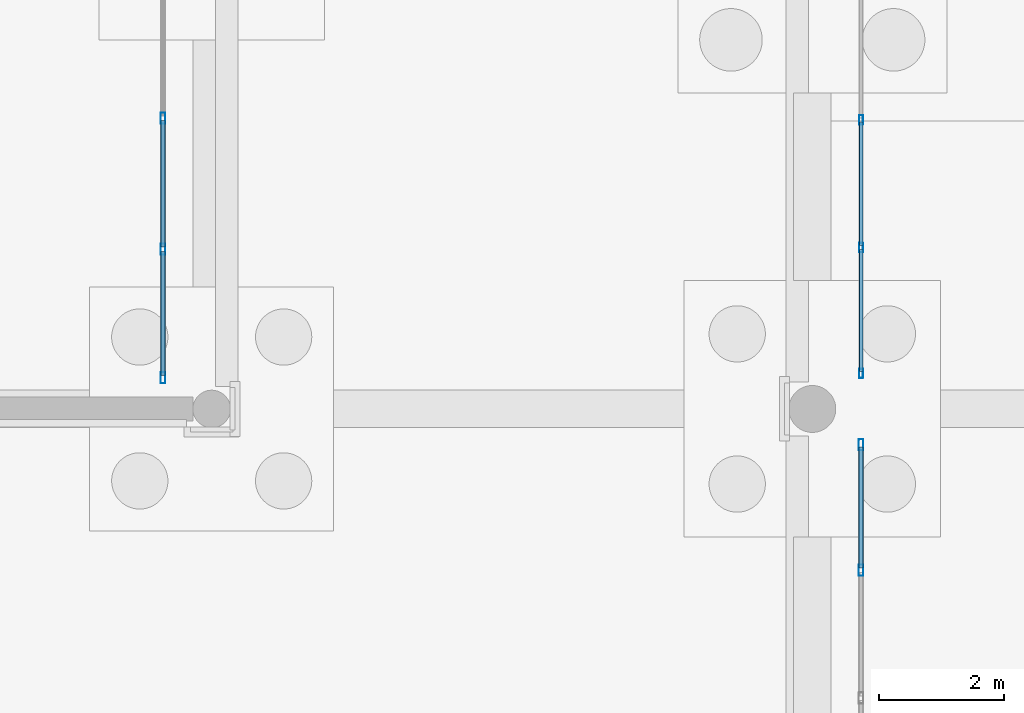
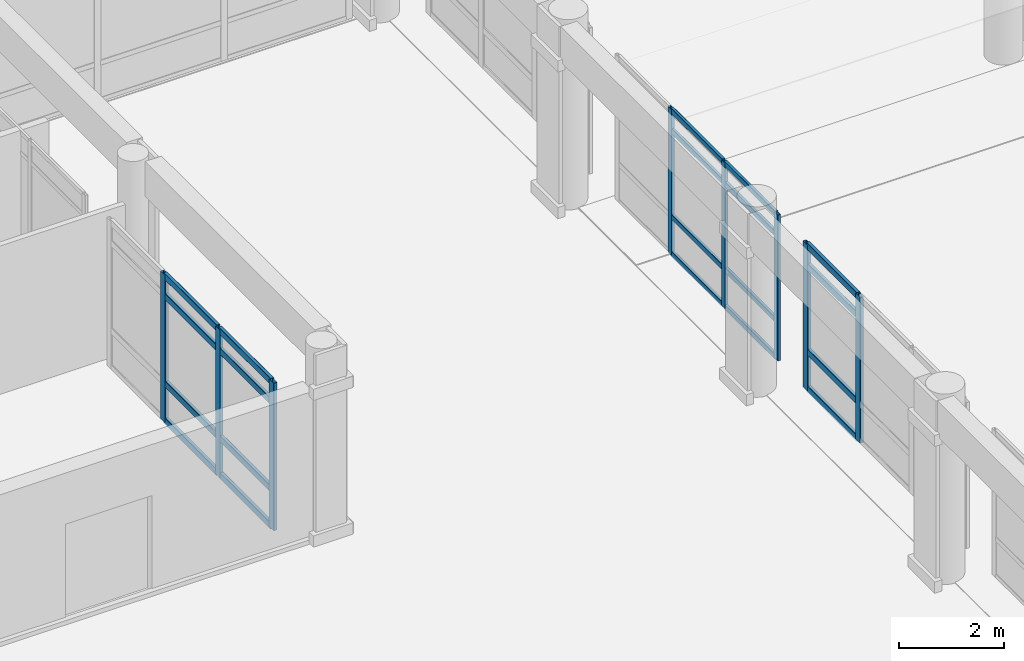
# One storey, part 78 of 196: 28 members, 3 elements without a shape of their own.
"""IFC4 building model written with IfcOpenShell, lengths in metres."""

from ifc_helpers import new_model, si_unit, direction, frame, origin, origin_2d, place, context, subcontext, project, spatial, hollow_rectangle, extrude, material, layer, layer_set, material_profile, profile_set, type_object, element, aggregate, save


model = new_model("IFC4")

# Units and contexts
model_context = context("Model", 3, precision=1e-05, world=origin(), true_north=direction((0.0, 1.0)))
body_context = subcontext(model_context, "Body", "Model", "MODEL_VIEW")
ifc_project = project(units=[si_unit("LENGTHUNIT", "METRE"), si_unit("AREAUNIT", "SQUARE_METRE"), si_unit("VOLUMEUNIT", "CUBIC_METRE"), si_unit("PLANEANGLEUNIT", "RADIAN"), si_unit("MASSUNIT", "GRAM", prefix="KILO")], contexts=[model_context])

# Site, building, storey
site_placement = place(None, origin())
site = spatial("IfcSite", under=ifc_project, at=site_placement, CompositionType="ELEMENT")
building_placement = place(site_placement, origin())
building = spatial("IfcBuilding", under=site, at=building_placement, Name="Asteropetra Specialist Clinic", CompositionType="ELEMENT")
storey_placement = place(building_placement, origin())
storey = spatial("IfcBuildingStorey", under=building, at=storey_placement, Name="L00", CompositionType="ELEMENT", Elevation=0.0)

# Curtain wall, members
ifc_material_1 = material(Name="Aluminium and low-E glass", Category="aluminium")
ifc_layer_1 = layer(ifc_material_1, 0.14990234375)
ifc_layer_set_1 = layer_set([ifc_layer_1], Name="Aluminium and low-E glass")
curtain_wall_type_1 = type_object("IfcCurtainWallType", Name="CW-SYS-11", PredefinedType="USERDEFINED", material=ifc_layer_set_1)
curtain_wall_1_placement = place(storey_placement, origin())
curtain_wall_1 = element("IfcCurtainWall", 1, at=curtain_wall_1_placement, inside=storey, type_object=curtain_wall_type_1, Name="Curtain Wall CW-202", ObjectType="STICK GLAZED COLONNADE", PredefinedType="USERDEFINED")
ifc_material_2 = material(Name="Aluminium 6063-T6", Category="aluminium")
ifc_material_profile_1 = material_profile(ifc_material_2, hollow_rectangle(XDim=0.06494140625, YDim=0.14990234375, WallThickness=0.00390625, InnerFilletRadius=0.00390625, OuterFilletRadius=0.008056640625, at=origin_2d()), Name="MUL 150x65x4.0")
ifc_profile_set_1 = profile_set([ifc_material_profile_1], Name="Aluminium 6063-T6")
member_type_1 = type_object("IfcMemberType", Name="CWM-150x65", PredefinedType="MULLION", material=ifc_profile_set_1)
member_1_placement = place(storey_placement, frame((106.3798828125, 38.2216796875, 0.0), z_axis=(0.0, 0.0, 1.0), x_axis=(1.0, 0.0, 0.0)))
member_1 = element("IfcMember", 2, at=member_1_placement, type_object=member_type_1, Name="CW-202 mullion 2", PredefinedType="MULLION", context=body_context, shape_type="SweptSolid", body=[
    extrude(hollow_rectangle(XDim=0.06494140625, YDim=0.14990234375, WallThickness=0.00390625, InnerFilletRadius=0.00390625, OuterFilletRadius=0.008056640625, at=origin_2d()), origin(), (0.0, 0.0, 1.0), 3.39990234375),
])
member_2_placement = place(storey_placement, frame((106.3798828125, 36.17822265625, 0.0), z_axis=(0.0, 0.0, 1.0), x_axis=(1.0, 0.0, 0.0)))
member_2 = element("IfcMember", 3, at=member_2_placement, type_object=member_type_1, Name="CW-202 mullion 3", PredefinedType="MULLION", context=body_context, shape_type="SweptSolid", body=[
    extrude(hollow_rectangle(XDim=0.06494140625, YDim=0.14990234375, WallThickness=0.00390625, InnerFilletRadius=0.00390625, OuterFilletRadius=0.008056640625, at=origin_2d()), origin(), (0.0, 0.0, 1.0), 3.39990234375),
])
member_3_placement = place(storey_placement, frame((106.3798828125, 34.16748046875, 0.0), z_axis=(0.0, 0.0, 1.0), x_axis=(1.0, 0.0, 0.0)))
member_3 = element("IfcMember", 4, at=member_3_placement, type_object=member_type_1, Name="CW-202 mullion 4", PredefinedType="MULLION", context=body_context, shape_type="SweptSolid", body=[
    extrude(hollow_rectangle(XDim=0.06494140625, YDim=0.14990234375, WallThickness=0.00390625, InnerFilletRadius=0.00390625, OuterFilletRadius=0.008056640625, at=origin_2d()), origin(), (0.0, 0.0, 1.0), 3.39990234375),
])

curtain_wall_2_placement = place(storey_placement, origin())
curtain_wall_2 = element("IfcCurtainWall", 5, at=curtain_wall_2_placement, inside=storey, type_object=curtain_wall_type_1, Name="Curtain Wall CW-168", ObjectType="STICK GLAZED COLONNADE", PredefinedType="USERDEFINED")
ifc_material_3 = material(Name="Aluminium 6063-T6", Category="aluminium")
ifc_material_profile_2 = material_profile(ifc_material_3, hollow_rectangle(XDim=0.074951171875, YDim=0.179931640625, WallThickness=0.00390625, InnerFilletRadius=0.00390625, OuterFilletRadius=0.008056640625, at=origin_2d()), Name="MUL 180x75x4.0")
ifc_profile_set_2 = profile_set([ifc_material_profile_2], Name="Aluminium 6063-T6")
member_type_2 = type_object("IfcMemberType", Name="CWM-180x75", PredefinedType="MULLION", material=ifc_profile_set_2)
member_4_placement = place(storey_placement, frame((95.219970703125, 34.097412109375, 0.0), z_axis=(0.0, 0.0, 1.0), x_axis=(-1.0, 0.0, 0.0)))
member_4 = element("IfcMember", 6, at=member_4_placement, type_object=member_type_2, Name="CW-168 mullion 1", PredefinedType="MULLION", context=body_context, shape_type="SweptSolid", body=[
    extrude(hollow_rectangle(XDim=0.074951171875, YDim=0.179931640625, WallThickness=0.00390625, InnerFilletRadius=0.00390625, OuterFilletRadius=0.008056640625, at=origin_2d()), origin(), (0.0, 0.0, 1.0), 3.43994140625),
])
member_5_placement = place(storey_placement, frame((95.219970703125, 36.1533203125, 0.0), z_axis=(0.0, 0.0, 1.0), x_axis=(-1.0, 0.0, 0.0)))
member_5 = element("IfcMember", 7, at=member_5_placement, type_object=member_type_2, Name="CW-168 mullion 2", PredefinedType="MULLION", context=body_context, shape_type="SweptSolid", body=[
    extrude(hollow_rectangle(XDim=0.074951171875, YDim=0.179931640625, WallThickness=0.00390625, InnerFilletRadius=0.00390625, OuterFilletRadius=0.008056640625, at=origin_2d()), origin(), (0.0, 0.0, 1.0), 3.43994140625),
])
member_6_placement = place(storey_placement, frame((95.219970703125, 38.24658203125, 0.0), z_axis=(0.0, 0.0, 1.0), x_axis=(-1.0, 0.0, 0.0)))
member_6 = element("IfcMember", 8, at=member_6_placement, type_object=member_type_2, Name="CW-168 mullion 3", PredefinedType="MULLION", context=body_context, shape_type="SweptSolid", body=[
    extrude(hollow_rectangle(XDim=0.074951171875, YDim=0.179931640625, WallThickness=0.00390625, InnerFilletRadius=0.00390625, OuterFilletRadius=0.008056640625, at=origin_2d()), origin(), (0.0, 0.0, 1.0), 3.43994140625),
])

ifc_material_4 = material(Name="Aluminium and low-E glass", Category="aluminium")
ifc_layer_2 = layer(ifc_material_4, 0.135009765625)
ifc_layer_set_2 = layer_set([ifc_layer_2], Name="Aluminium and low-E glass")
curtain_wall_type_2 = type_object("IfcCurtainWallType", Name="CW-SYS-12", PredefinedType="USERDEFINED", material=ifc_layer_set_2)
curtain_wall_3_placement = place(storey_placement, origin())
curtain_wall_3 = element("IfcCurtainWall", 9, at=curtain_wall_3_placement, inside=storey, type_object=curtain_wall_type_2, Name="Curtain Wall CW-201", ObjectType="STICK GLAZED COLONNADE", PredefinedType="USERDEFINED")
member_7_placement = place(storey_placement, frame((106.3798828125, 33.027587890625, 0.0), z_axis=(0.0, 0.0, 1.0), x_axis=(1.0, 0.0, 0.0)))
member_7 = element("IfcMember", 10, at=member_7_placement, type_object=member_type_2, Name="CW-201 mullion 1", PredefinedType="MULLION", context=body_context, shape_type="SweptSolid", body=[
    extrude(hollow_rectangle(XDim=0.074951171875, YDim=0.179931640625, WallThickness=0.00390625, InnerFilletRadius=0.00390625, OuterFilletRadius=0.008056640625, at=origin_2d()), origin(), (0.0, 0.0, 1.0), 3.39990234375),
])
member_8_placement = place(storey_placement, frame((106.3798828125, 31.021728515625, 0.0), z_axis=(0.0, 0.0, 1.0), x_axis=(1.0, 0.0, 0.0)))
member_8 = element("IfcMember", 11, at=member_8_placement, type_object=member_type_2, Name="CW-201 mullion 2", PredefinedType="MULLION", context=body_context, shape_type="SweptSolid", body=[
    extrude(hollow_rectangle(XDim=0.074951171875, YDim=0.179931640625, WallThickness=0.00390625, InnerFilletRadius=0.00390625, OuterFilletRadius=0.008056640625, at=origin_2d()), origin(), (0.0, 0.0, 1.0), 3.39990234375),
])

# Member
ifc_material_5 = material(Name="Aluminium 6063-T6", Category="aluminium")
ifc_material_profile_3 = material_profile(ifc_material_5, hollow_rectangle(XDim=0.06494140625, YDim=0.1201171875, WallThickness=0.00390625, InnerFilletRadius=0.00390625, OuterFilletRadius=0.008056640625, at=origin_2d()), Name="TRN 120x65x4.0")
ifc_profile_set_3 = profile_set([ifc_material_profile_3], Name="Aluminium 6063-T6")
member_type_3 = type_object("IfcMemberType", Name="CWT-120x65", PredefinedType="USERDEFINED", material=ifc_profile_set_3)
member_9_placement = place(storey_placement, frame((106.3798828125, 38.189208984375, 0.032470703125), z_axis=(0.0, -1.0, 0.0), x_axis=(1.0, 0.0, 0.0)))
member_9 = element("IfcMember", 12, at=member_9_placement, type_object=member_type_3, Name="CW-202 transom 2.1", ObjectType="TRANSOM", PredefinedType="USERDEFINED", context=body_context, shape_type="SweptSolid", body=[
    extrude(hollow_rectangle(XDim=0.06494140625, YDim=0.1201171875, WallThickness=0.00390625, InnerFilletRadius=0.00390625, OuterFilletRadius=0.008056640625, at=origin_2d()), origin(), (0.0, 0.0, 1.0), 1.978271484375),
])

member_10_placement = place(storey_placement, frame((106.3798828125, 38.189208984375, 0.89990234375), z_axis=(0.0, -1.0, 0.0), x_axis=(1.0, 0.0, 0.0)))
member_10 = element("IfcMember", 13, at=member_10_placement, type_object=member_type_3, Name="CW-202 transom 2.2", ObjectType="TRANSOM", PredefinedType="USERDEFINED", context=body_context, shape_type="SweptSolid", body=[
    extrude(hollow_rectangle(XDim=0.06494140625, YDim=0.1201171875, WallThickness=0.00390625, InnerFilletRadius=0.00390625, OuterFilletRadius=0.008056640625, at=origin_2d()), origin(), (0.0, 0.0, 1.0), 1.978271484375),
])

member_11_placement = place(storey_placement, frame((106.3798828125, 38.189208984375, 2.89990234375), z_axis=(0.0, -1.0, 0.0), x_axis=(1.0, 0.0, 0.0)))
member_11 = element("IfcMember", 14, at=member_11_placement, type_object=member_type_3, Name="CW-202 transom 2.3", ObjectType="TRANSOM", PredefinedType="USERDEFINED", context=body_context, shape_type="SweptSolid", body=[
    extrude(hollow_rectangle(XDim=0.06494140625, YDim=0.1201171875, WallThickness=0.00390625, InnerFilletRadius=0.00390625, OuterFilletRadius=0.008056640625, at=origin_2d()), origin(), (0.0, 0.0, 1.0), 1.978271484375),
])

member_12_placement = place(storey_placement, frame((106.3798828125, 38.189208984375, 3.367431640625), z_axis=(0.0, -1.0, 0.0), x_axis=(1.0, 0.0, 0.0)))
member_12 = element("IfcMember", 15, at=member_12_placement, type_object=member_type_3, Name="CW-202 transom 2.4", ObjectType="TRANSOM", PredefinedType="USERDEFINED", context=body_context, shape_type="SweptSolid", body=[
    extrude(hollow_rectangle(XDim=0.06494140625, YDim=0.1201171875, WallThickness=0.00390625, InnerFilletRadius=0.00390625, OuterFilletRadius=0.008056640625, at=origin_2d()), origin(), (0.0, 0.0, 1.0), 1.978271484375),
])

member_13_placement = place(storey_placement, frame((106.3798828125, 36.145751953125, 0.032470703125), z_axis=(0.0, -1.0, 0.0), x_axis=(1.0, 0.0, 0.0)))
member_13 = element("IfcMember", 16, at=member_13_placement, type_object=member_type_3, Name="CW-202 transom 3.1", ObjectType="TRANSOM", PredefinedType="USERDEFINED", context=body_context, shape_type="SweptSolid", body=[
    extrude(hollow_rectangle(XDim=0.06494140625, YDim=0.1201171875, WallThickness=0.00390625, InnerFilletRadius=0.00390625, OuterFilletRadius=0.008056640625, at=origin_2d()), origin(), (0.0, 0.0, 1.0), 1.94580078125),
])

member_14_placement = place(storey_placement, frame((106.3798828125, 36.145751953125, 0.89990234375), z_axis=(0.0, -1.0, 0.0), x_axis=(1.0, 0.0, 0.0)))
member_14 = element("IfcMember", 17, at=member_14_placement, type_object=member_type_3, Name="CW-202 transom 3.2", ObjectType="TRANSOM", PredefinedType="USERDEFINED", context=body_context, shape_type="SweptSolid", body=[
    extrude(hollow_rectangle(XDim=0.06494140625, YDim=0.1201171875, WallThickness=0.00390625, InnerFilletRadius=0.00390625, OuterFilletRadius=0.008056640625, at=origin_2d()), origin(), (0.0, 0.0, 1.0), 1.94580078125),
])

member_15_placement = place(storey_placement, frame((106.3798828125, 36.145751953125, 2.89990234375), z_axis=(0.0, -1.0, 0.0), x_axis=(1.0, 0.0, 0.0)))
member_15 = element("IfcMember", 18, at=member_15_placement, type_object=member_type_3, Name="CW-202 transom 3.3", ObjectType="TRANSOM", PredefinedType="USERDEFINED", context=body_context, shape_type="SweptSolid", body=[
    extrude(hollow_rectangle(XDim=0.06494140625, YDim=0.1201171875, WallThickness=0.00390625, InnerFilletRadius=0.00390625, OuterFilletRadius=0.008056640625, at=origin_2d()), origin(), (0.0, 0.0, 1.0), 1.94580078125),
])

member_16_placement = place(storey_placement, frame((106.3798828125, 36.145751953125, 3.367431640625), z_axis=(0.0, -1.0, 0.0), x_axis=(1.0, 0.0, 0.0)))
member_16 = element("IfcMember", 19, at=member_16_placement, type_object=member_type_3, Name="CW-202 transom 3.4", ObjectType="TRANSOM", PredefinedType="USERDEFINED", context=body_context, shape_type="SweptSolid", body=[
    extrude(hollow_rectangle(XDim=0.06494140625, YDim=0.1201171875, WallThickness=0.00390625, InnerFilletRadius=0.00390625, OuterFilletRadius=0.008056640625, at=origin_2d()), origin(), (0.0, 0.0, 1.0), 1.94580078125),
])

aggregate(curtain_wall_1, [member_1, member_2, member_3, member_9, member_10, member_11, member_12, member_13, member_14, member_15, member_16])

ifc_material_6 = material(Name="Aluminium 6063-T6", Category="aluminium")
ifc_material_profile_4 = material_profile(ifc_material_6, hollow_rectangle(XDim=0.074951171875, YDim=0.14990234375, WallThickness=0.00390625, InnerFilletRadius=0.00390625, OuterFilletRadius=0.008056640625, at=origin_2d()), Name="TRN 150x75x4.0")
ifc_profile_set_4 = profile_set([ifc_material_profile_4], Name="Aluminium 6063-T6")
member_type_4 = type_object("IfcMemberType", Name="CWT-150x75", PredefinedType="USERDEFINED", material=ifc_profile_set_4)
member_17_placement = place(storey_placement, frame((95.219970703125, 34.135009765625, 0.03759765625), z_axis=(0.0, 1.0, 0.0), x_axis=(-1.0, 0.0, 0.0)))
member_17 = element("IfcMember", 20, at=member_17_placement, type_object=member_type_4, Name="CW-168 transom 1.1", ObjectType="TRANSOM", PredefinedType="USERDEFINED", context=body_context, shape_type="SweptSolid", body=[
    extrude(hollow_rectangle(XDim=0.074951171875, YDim=0.14990234375, WallThickness=0.00390625, InnerFilletRadius=0.00390625, OuterFilletRadius=0.008056640625, at=origin_2d()), origin(), (0.0, 0.0, 1.0), 1.980712890625),
])

member_18_placement = place(storey_placement, frame((95.219970703125, 34.135009765625, 0.89990234375), z_axis=(0.0, 1.0, 0.0), x_axis=(-1.0, 0.0, 0.0)))
member_18 = element("IfcMember", 21, at=member_18_placement, type_object=member_type_4, Name="CW-168 transom 1.2", ObjectType="TRANSOM", PredefinedType="USERDEFINED", context=body_context, shape_type="SweptSolid", body=[
    extrude(hollow_rectangle(XDim=0.074951171875, YDim=0.14990234375, WallThickness=0.00390625, InnerFilletRadius=0.00390625, OuterFilletRadius=0.008056640625, at=origin_2d()), origin(), (0.0, 0.0, 1.0), 1.980712890625),
])

member_19_placement = place(storey_placement, frame((95.219970703125, 34.135009765625, 2.93994140625), z_axis=(0.0, 1.0, 0.0), x_axis=(-1.0, 0.0, 0.0)))
member_19 = element("IfcMember", 22, at=member_19_placement, type_object=member_type_4, Name="CW-168 transom 1.3", ObjectType="TRANSOM", PredefinedType="USERDEFINED", context=body_context, shape_type="SweptSolid", body=[
    extrude(hollow_rectangle(XDim=0.074951171875, YDim=0.14990234375, WallThickness=0.00390625, InnerFilletRadius=0.00390625, OuterFilletRadius=0.008056640625, at=origin_2d()), origin(), (0.0, 0.0, 1.0), 1.980712890625),
])

member_20_placement = place(storey_placement, frame((95.219970703125, 34.135009765625, 3.402587890625), z_axis=(0.0, 1.0, 0.0), x_axis=(-1.0, 0.0, 0.0)))
member_20 = element("IfcMember", 23, at=member_20_placement, type_object=member_type_4, Name="CW-168 transom 1.4", ObjectType="TRANSOM", PredefinedType="USERDEFINED", context=body_context, shape_type="SweptSolid", body=[
    extrude(hollow_rectangle(XDim=0.074951171875, YDim=0.14990234375, WallThickness=0.00390625, InnerFilletRadius=0.00390625, OuterFilletRadius=0.008056640625, at=origin_2d()), origin(), (0.0, 0.0, 1.0), 1.980712890625),
])

member_21_placement = place(storey_placement, frame((95.219970703125, 36.19091796875, 0.03759765625), z_axis=(0.0, 1.0, 0.0), x_axis=(-1.0, 0.0, 0.0)))
member_21 = element("IfcMember", 24, at=member_21_placement, type_object=member_type_4, Name="CW-168 transom 2.1", ObjectType="TRANSOM", PredefinedType="USERDEFINED", context=body_context, shape_type="SweptSolid", body=[
    extrude(hollow_rectangle(XDim=0.074951171875, YDim=0.14990234375, WallThickness=0.00390625, InnerFilletRadius=0.00390625, OuterFilletRadius=0.008056640625, at=origin_2d()), origin(), (0.0, 0.0, 1.0), 2.018310546875),
])

member_22_placement = place(storey_placement, frame((95.219970703125, 36.19091796875, 0.89990234375), z_axis=(0.0, 1.0, 0.0), x_axis=(-1.0, 0.0, 0.0)))
member_22 = element("IfcMember", 25, at=member_22_placement, type_object=member_type_4, Name="CW-168 transom 2.2", ObjectType="TRANSOM", PredefinedType="USERDEFINED", context=body_context, shape_type="SweptSolid", body=[
    extrude(hollow_rectangle(XDim=0.074951171875, YDim=0.14990234375, WallThickness=0.00390625, InnerFilletRadius=0.00390625, OuterFilletRadius=0.008056640625, at=origin_2d()), origin(), (0.0, 0.0, 1.0), 2.018310546875),
])

member_23_placement = place(storey_placement, frame((95.219970703125, 36.19091796875, 2.93994140625), z_axis=(0.0, 1.0, 0.0), x_axis=(-1.0, 0.0, 0.0)))
member_23 = element("IfcMember", 26, at=member_23_placement, type_object=member_type_4, Name="CW-168 transom 2.3", ObjectType="TRANSOM", PredefinedType="USERDEFINED", context=body_context, shape_type="SweptSolid", body=[
    extrude(hollow_rectangle(XDim=0.074951171875, YDim=0.14990234375, WallThickness=0.00390625, InnerFilletRadius=0.00390625, OuterFilletRadius=0.008056640625, at=origin_2d()), origin(), (0.0, 0.0, 1.0), 2.018310546875),
])

member_24_placement = place(storey_placement, frame((95.219970703125, 36.19091796875, 3.402587890625), z_axis=(0.0, 1.0, 0.0), x_axis=(-1.0, 0.0, 0.0)))
member_24 = element("IfcMember", 27, at=member_24_placement, type_object=member_type_4, Name="CW-168 transom 2.4", ObjectType="TRANSOM", PredefinedType="USERDEFINED", context=body_context, shape_type="SweptSolid", body=[
    extrude(hollow_rectangle(XDim=0.074951171875, YDim=0.14990234375, WallThickness=0.00390625, InnerFilletRadius=0.00390625, OuterFilletRadius=0.008056640625, at=origin_2d()), origin(), (0.0, 0.0, 1.0), 2.018310546875),
])

aggregate(curtain_wall_2, [member_4, member_5, member_6, member_17, member_18, member_19, member_20, member_21, member_22, member_23, member_24])

member_25_placement = place(storey_placement, frame((106.3798828125, 32.989990234375, 0.03759765625), z_axis=(0.0, -1.0, 0.0), x_axis=(1.0, 0.0, 0.0)))
member_25 = element("IfcMember", 28, at=member_25_placement, type_object=member_type_4, Name="CW-201 transom 1.1", ObjectType="TRANSOM", PredefinedType="USERDEFINED", context=body_context, shape_type="SweptSolid", body=[
    extrude(hollow_rectangle(XDim=0.074951171875, YDim=0.14990234375, WallThickness=0.00390625, InnerFilletRadius=0.00390625, OuterFilletRadius=0.008056640625, at=origin_2d()), origin(), (0.0, 0.0, 1.0), 1.930908203125),
])

member_26_placement = place(storey_placement, frame((106.3798828125, 32.989990234375, 0.89990234375), z_axis=(0.0, -1.0, 0.0), x_axis=(1.0, 0.0, 0.0)))
member_26 = element("IfcMember", 29, at=member_26_placement, type_object=member_type_4, Name="CW-201 transom 1.2", ObjectType="TRANSOM", PredefinedType="USERDEFINED", context=body_context, shape_type="SweptSolid", body=[
    extrude(hollow_rectangle(XDim=0.074951171875, YDim=0.14990234375, WallThickness=0.00390625, InnerFilletRadius=0.00390625, OuterFilletRadius=0.008056640625, at=origin_2d()), origin(), (0.0, 0.0, 1.0), 1.930908203125),
])

member_27_placement = place(storey_placement, frame((106.3798828125, 32.989990234375, 2.89990234375), z_axis=(0.0, -1.0, 0.0), x_axis=(1.0, 0.0, 0.0)))
member_27 = element("IfcMember", 30, at=member_27_placement, type_object=member_type_4, Name="CW-201 transom 1.3", ObjectType="TRANSOM", PredefinedType="USERDEFINED", context=body_context, shape_type="SweptSolid", body=[
    extrude(hollow_rectangle(XDim=0.074951171875, YDim=0.14990234375, WallThickness=0.00390625, InnerFilletRadius=0.00390625, OuterFilletRadius=0.008056640625, at=origin_2d()), origin(), (0.0, 0.0, 1.0), 1.930908203125),
])

member_28_placement = place(storey_placement, frame((106.3798828125, 32.989990234375, 3.362548828125), z_axis=(0.0, -1.0, 0.0), x_axis=(1.0, 0.0, 0.0)))
member_28 = element("IfcMember", 31, at=member_28_placement, type_object=member_type_4, Name="CW-201 transom 1.4", ObjectType="TRANSOM", PredefinedType="USERDEFINED", context=body_context, shape_type="SweptSolid", body=[
    extrude(hollow_rectangle(XDim=0.074951171875, YDim=0.14990234375, WallThickness=0.00390625, InnerFilletRadius=0.00390625, OuterFilletRadius=0.008056640625, at=origin_2d()), origin(), (0.0, 0.0, 1.0), 1.930908203125),
])

aggregate(curtain_wall_3, [member_7, member_8, member_25, member_26, member_27, member_28])

save(model, "model.ifc")
